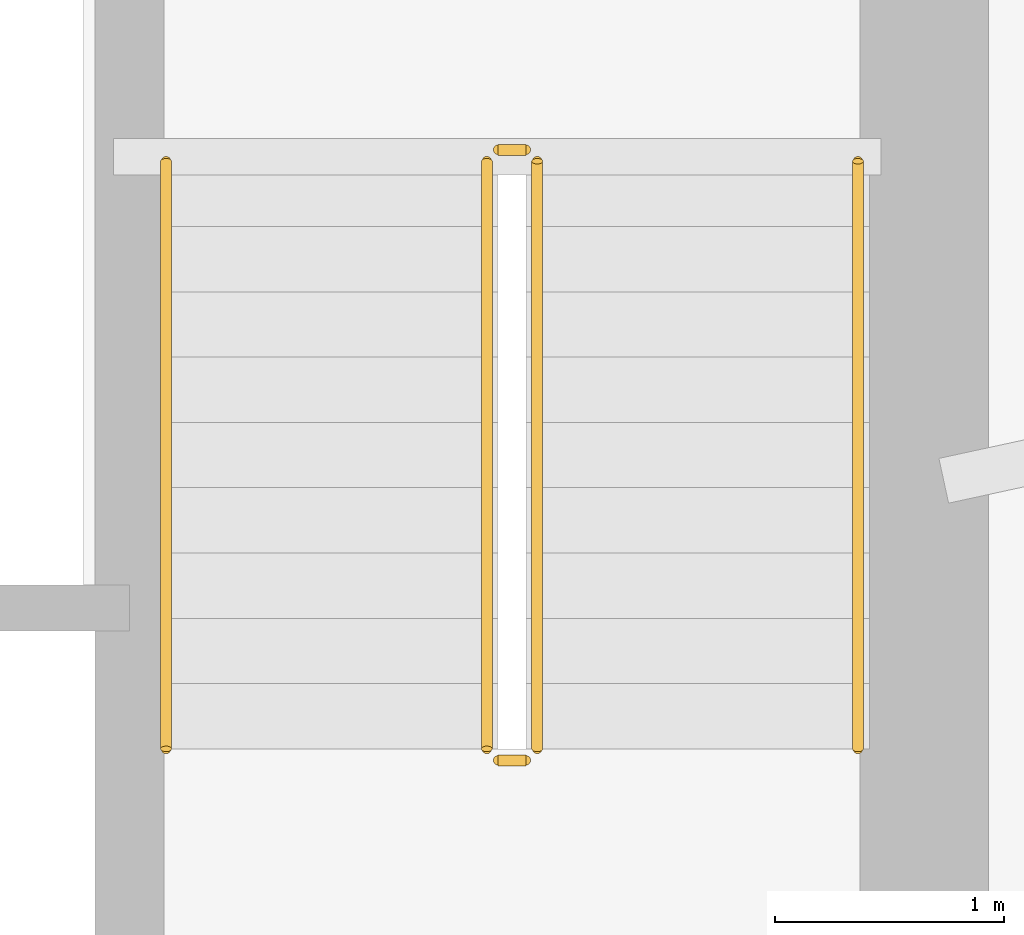
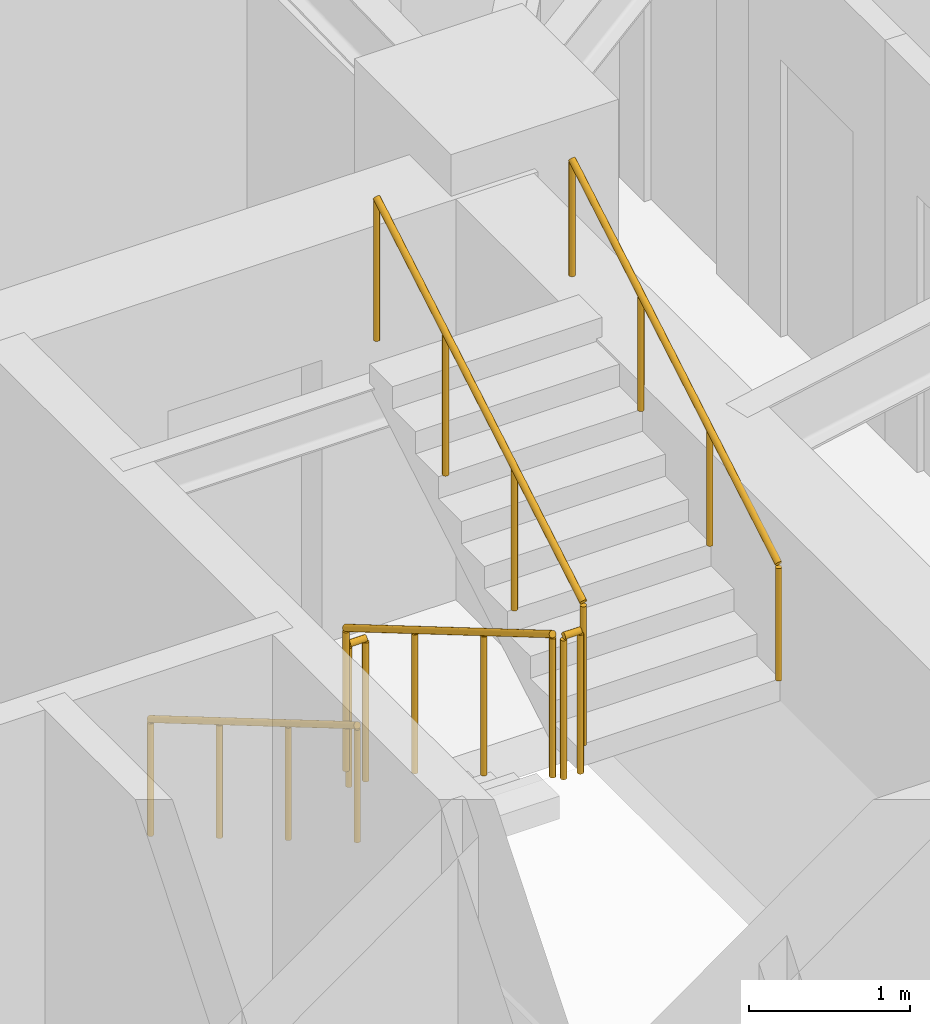
# One storey, part 24 of 24: 6 railings.
"""IFC4 building model written with IfcOpenShell, lengths in metres."""

from ifc_helpers import new_model, si_unit, direction, frame, origin, origin_2d, place, context, subcontext, project, spatial, circle, extrude, material, type_object, element, save


model = new_model("IFC4")

# Units and contexts
model_context = context("Model", 3, precision=1e-05, world=origin(), true_north=direction((0.0, 1.0)))
body_context = subcontext(model_context, "Body", "Model", "MODEL_VIEW")
ifc_project = project(units=[si_unit("LENGTHUNIT", "METRE"), si_unit("AREAUNIT", "SQUARE_METRE"), si_unit("VOLUMEUNIT", "CUBIC_METRE"), si_unit("PLANEANGLEUNIT", "RADIAN"), si_unit("MASSUNIT", "GRAM", prefix="KILO")], contexts=[model_context])

# Site, building, storey
site_placement = place(None, origin())
site = spatial("IfcSite", under=ifc_project, at=site_placement, CompositionType="ELEMENT")
building_placement = place(site_placement, origin())
building = spatial("IfcBuilding", under=site, at=building_placement, Name="Qobustan Lattice House", CompositionType="ELEMENT")
storey_placement = place(building_placement, frame((0.0, 0.0, 50.449951171875)))
storey = spatial("IfcBuildingStorey", under=building, at=storey_placement, Name="L13", CompositionType="ELEMENT", Elevation=50.449951171875)

# Railings
ifc_material_1 = material(Name="Brushed stainless steel handrail", Category="steel")
railing_type_1 = type_object("IfcRailingType", Name="RAL-HR-920", PredefinedType="HANDRAIL", material=ifc_material_1)
railing_1_placement = place(storey_placement, frame((15.179931640625, 3.5, 0.16748046875)))
element("IfcRailing", 1, at=railing_1_placement, inside=storey, type_object=railing_type_1, Name="L13 ST-E1 stair handrail 1", PredefinedType="HANDRAIL", context=body_context, shape_type="SweptSolid", body=[
    extrude(circle(Radius=0.02392578125, at=origin_2d()), frame((0.0, 0.0, 0.8759765625), z_axis=(0.0, -0.862113467892, 0.50671527358), x_axis=(1.0, 0.0, 0.0)), (0.0, 0.0, 1.0), 2.97509765625),
    extrude(circle(Radius=0.02099609375, at=origin_2d()), origin(), (0.0, 0.0, 1.0), 0.851806640625),
    extrude(circle(Radius=0.02099609375, at=origin_2d()), frame((0.0, -0.85498046875, 0.50244140625)), (0.0, 0.0, 1.0), 0.851806640625),
    extrude(circle(Radius=0.02099609375, at=origin_2d()), frame((0.0, -1.7099609375, 1.005126953125)), (0.0, 0.0, 1.0), 0.851806640625),
    extrude(circle(Radius=0.02099609375, at=origin_2d()), frame((0.0, -2.56494140625, 1.507568359375)), (0.0, 0.0, 1.0), 0.851806640625),
])
railing_2_placement = place(storey_placement, frame((18.199951171875, 0.93505859375, 1.842529296875)))
element("IfcRailing", 2, at=railing_2_placement, inside=storey, type_object=railing_type_1, Name="L13 ST-E1 stair handrail 2", PredefinedType="HANDRAIL", context=body_context, shape_type="SweptSolid", body=[
    extrude(circle(Radius=0.02392578125, at=origin_2d()), frame((0.0, 0.0, 0.8759765625), z_axis=(0.0, 0.862113467892, 0.50671527358), x_axis=(-1.0, 0.0, 0.0)), (0.0, 0.0, 1.0), 2.97509765625),
    extrude(circle(Radius=0.02099609375, at=origin_2d()), origin(), (0.0, 0.0, 1.0), 0.851806640625),
    extrude(circle(Radius=0.02099609375, at=origin_2d()), frame((0.0, 0.85498046875, 0.50244140625)), (0.0, 0.0, 1.0), 0.851806640625),
    extrude(circle(Radius=0.02099609375, at=origin_2d()), frame((0.0, 1.7099609375, 1.005126953125)), (0.0, 0.0, 1.0), 0.851806640625),
    extrude(circle(Radius=0.02099609375, at=origin_2d()), frame((0.0, 2.56494140625, 1.507568359375)), (0.0, 0.0, 1.0), 0.851806640625),
])
ifc_material_2 = material(Name="Painted galvanized steel guardrail", Category="steel")
railing_type_2 = type_object("IfcRailingType", Name="RAL-STG-1150", PredefinedType="GUARDRAIL", material=ifc_material_2)
railing_3_placement = place(storey_placement, frame((16.580078125, 3.5, 0.16748046875)))
element("IfcRailing", 3, at=railing_3_placement, inside=storey, type_object=railing_type_2, Name="L13 ST-E1 stair guard 1", PredefinedType="GUARDRAIL", context=body_context, shape_type="SweptSolid", body=[
    extrude(circle(Radius=0.02392578125, at=origin_2d()), frame((0.0, 0.0, 1.076171875), z_axis=(0.0, -0.862113467892, 0.50671527358), x_axis=(1.0, 0.0, 0.0)), (0.0, 0.0, 1.0), 2.97509765625),
    extrude(circle(Radius=0.02099609375, at=origin_2d()), origin(), (0.0, 0.0, 1.0), 1.052001953125),
    extrude(circle(Radius=0.02099609375, at=origin_2d()), frame((0.0, -0.85498046875, 0.50244140625)), (0.0, 0.0, 1.0), 1.052001953125),
    extrude(circle(Radius=0.02099609375, at=origin_2d()), frame((0.0, -1.7099609375, 1.005126953125)), (0.0, 0.0, 1.0), 1.052001953125),
    extrude(circle(Radius=0.02099609375, at=origin_2d()), frame((0.0, -2.56494140625, 1.507568359375)), (0.0, 0.0, 1.0), 1.052001953125),
])
railing_4_placement = place(storey_placement, frame((16.6298828125, 0.885009765625, 1.675048828125)))
element("IfcRailing", 4, at=railing_4_placement, inside=storey, type_object=railing_type_2, Name="L13 ST-E1 stair guard 2", PredefinedType="GUARDRAIL", context=body_context, shape_type="SweptSolid", body=[
    extrude(circle(Radius=0.02392578125, at=origin_2d()), frame((0.0, 0.0, 1.076171875), z_axis=(1.0, 0.0, 0.0), x_axis=(0.0, 1.0, 0.0)), (0.0, 0.0, 1.0), 0.1201171875),
    extrude(circle(Radius=0.02099609375, at=origin_2d()), origin(), (0.0, 0.0, 1.0), 1.052001953125),
    extrude(circle(Radius=0.02099609375, at=origin_2d()), frame((0.1201171875, 0.0, 0.0)), (0.0, 0.0, 1.0), 1.052001953125),
])
railing_5_placement = place(storey_placement, frame((16.800048828125, 0.93505859375, 1.842529296875)))
element("IfcRailing", 5, at=railing_5_placement, inside=storey, type_object=railing_type_2, Name="L13 ST-E1 stair guard 3", PredefinedType="GUARDRAIL", context=body_context, shape_type="SweptSolid", body=[
    extrude(circle(Radius=0.02392578125, at=origin_2d()), frame((0.0, 0.0, 1.076171875), z_axis=(0.0, 0.862113467892, 0.50671527358), x_axis=(-1.0, 0.0, 0.0)), (0.0, 0.0, 1.0), 2.97509765625),
    extrude(circle(Radius=0.02099609375, at=origin_2d()), origin(), (0.0, 0.0, 1.0), 1.052001953125),
    extrude(circle(Radius=0.02099609375, at=origin_2d()), frame((0.0, 0.85498046875, 0.50244140625)), (0.0, 0.0, 1.0), 1.052001953125),
    extrude(circle(Radius=0.02099609375, at=origin_2d()), frame((0.0, 1.7099609375, 1.005126953125)), (0.0, 0.0, 1.0), 1.052001953125),
    extrude(circle(Radius=0.02099609375, at=origin_2d()), frame((0.0, 2.56494140625, 1.507568359375)), (0.0, 0.0, 1.0), 1.052001953125),
])
railing_6_placement = place(storey_placement, frame((16.6298828125, 3.550048828125, 0.0)))
element("IfcRailing", 6, at=railing_6_placement, inside=storey, type_object=railing_type_2, Name="L13 ST-E1 stair guard 4", PredefinedType="GUARDRAIL", context=body_context, shape_type="SweptSolid", body=[
    extrude(circle(Radius=0.02392578125, at=origin_2d()), frame((0.0, 0.0, 1.076171875), z_axis=(1.0, 0.0, 0.0), x_axis=(0.0, 1.0, 0.0)), (0.0, 0.0, 1.0), 0.1201171875),
    extrude(circle(Radius=0.02099609375, at=origin_2d()), origin(), (0.0, 0.0, 1.0), 1.052001953125),
    extrude(circle(Radius=0.02099609375, at=origin_2d()), frame((0.1201171875, 0.0, 0.0)), (0.0, 0.0, 1.0), 1.052001953125),
])

save(model, "model.ifc")
